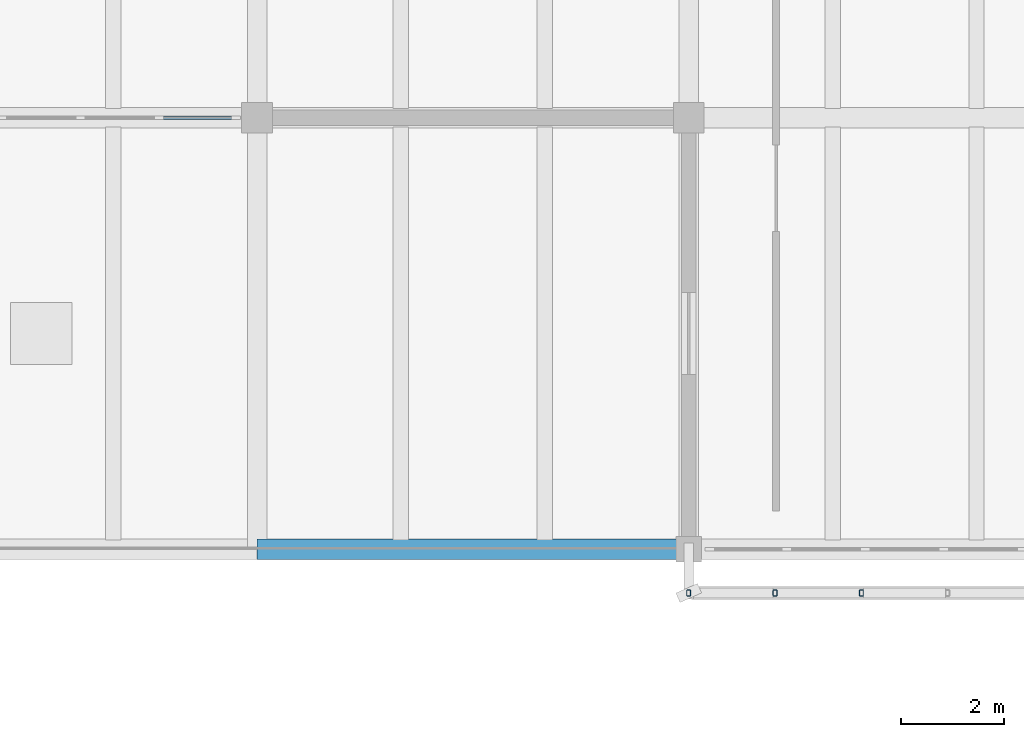
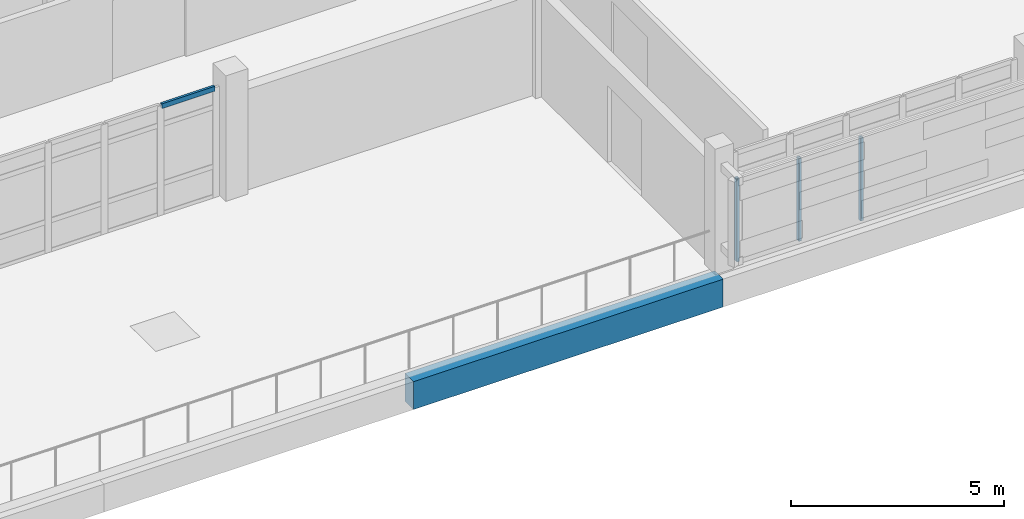
# One storey, part 9 of 50: 4 members, 1 beam, 1 element without a shape of its own.
"""IFC4 building model written with IfcOpenShell, lengths in metres."""

from ifc_helpers import new_model, si_unit, direction, frame, origin, origin_2d, place, context, subcontext, project, spatial, rectangle, hollow_rectangle, extrude, material, material_profile, profile_set, type_object, element, aggregate, save


model = new_model("IFC4")

# Units and contexts
model_context = context("Model", 3, precision=1e-05, world=origin(), true_north=direction((0.0, 1.0)))
body_context = subcontext(model_context, "Body", "Model", "MODEL_VIEW")
ifc_project = project(units=[si_unit("LENGTHUNIT", "METRE"), si_unit("AREAUNIT", "SQUARE_METRE"), si_unit("VOLUMEUNIT", "CUBIC_METRE"), si_unit("PLANEANGLEUNIT", "RADIAN"), si_unit("MASSUNIT", "GRAM", prefix="KILO")], contexts=[model_context])

# Site, building, storey
site_placement = place(None, origin())
site = spatial("IfcSite", under=ifc_project, at=site_placement, CompositionType="ELEMENT")
building_placement = place(site_placement, origin())
building = spatial("IfcBuilding", under=site, at=building_placement, Name="Cinderway Yard Community Centre", CompositionType="ELEMENT")
storey_placement = place(building_placement, frame((0.0, 0.0, 12.89990234375)))
storey = spatial("IfcBuildingStorey", under=building, at=storey_placement, Name="L03", CompositionType="ELEMENT", Elevation=12.89990234375)

# Curtain wall, member
ifc_material_1 = material(Name="Aluminium 6063-T6", Category="aluminium")
curtain_wall_type = type_object("IfcCurtainWallType", Name="ENV-CW-TYPE-32", PredefinedType="USERDEFINED", material=ifc_material_1)
curtain_wall_placement = place(storey_placement, origin())
curtain_wall = element("IfcCurtainWall", 1, at=curtain_wall_placement, inside=storey, type_object=curtain_wall_type, Name="V4 Courtyard Curtain Wall ENV-CW-L03-HS-0162", ObjectType="GLAZED CURTAIN WALL", PredefinedType="USERDEFINED")
ifc_material_profile_1 = material_profile(ifc_material_1, rectangle(XDim=0.06494140625, YDim=0.139892578125, at=origin_2d()), Name="Aluminium 6063-T6")
ifc_profile_set_1 = profile_set([ifc_material_profile_1], Name="Aluminium 6063-T6")
member_type_1 = type_object("IfcMemberType", Name="ENV-CW-TRAN-140", PredefinedType="USERDEFINED", material=ifc_profile_set_1)
member_placement = place(storey_placement, frame((56.52197265625, 98.39990234375, 3.1201171875), z_axis=(1.0, 0.0, 0.0), x_axis=(0.0, 1.0, 0.0)))
member = element("IfcMember", 2, at=member_placement, type_object=member_type_1, Name="CW-32 transom 5.4", ObjectType="TRANSOM", PredefinedType="USERDEFINED", context=body_context, shape_type="SweptSolid", body=[
    extrude(rectangle(XDim=0.06494140625, YDim=0.139892578125, at=origin_2d()), origin(), (0.0, 0.0, 1.0), 1.43798828125),
])
aggregate(curtain_wall, [member])

# Members
ifc_material_2 = material(Name="Steel S355", Category="steel")
ifc_material_profile_2 = material_profile(ifc_material_2, hollow_rectangle(XDim=0.080078125, YDim=0.1201171875, WallThickness=0.00634765625, InnerFilletRadius=0.00634765625, OuterFilletRadius=0.0126953125, at=origin_2d()), Name="Steel S355")
ifc_profile_set_2 = profile_set([ifc_material_profile_2], Name="Steel S355")
member_type_2 = type_object("IfcMemberType", Name="ENV-MEM-SCREEN-RAIL-120", PredefinedType="STRINGER", material=ifc_profile_set_2)
for number, where, z_axis, x_axis, name in (
    (3, (66.800048828125, 89.14990234375, 0.690185546875), (0.0, 0.0, 1.0), (1.0, 0.0, 0.0), "Screen vertical mullion 0505"),
    (4, (68.47998046875, 89.14990234375, 0.690185546875), (0.0, 0.0, 1.0), (1.0, 0.0, 0.0), "Screen vertical mullion 0506"),
    (5, (70.159912109375, 89.14990234375, 0.690185546875), (0.0, 0.0, 1.0), (1.0, 0.0, 0.0), "Screen vertical mullion 0507"),
):
    element("IfcMember", number, at=place(storey_placement, frame(where, z_axis=z_axis, x_axis=x_axis)), inside=storey, type_object=member_type_2, Name=name, PredefinedType="STRINGER", context=body_context, shape_type="SweptSolid", body=[
        extrude(hollow_rectangle(XDim=0.080078125, YDim=0.1201171875, WallThickness=0.00634765625, InnerFilletRadius=0.00634765625, OuterFilletRadius=0.0126953125, at=origin_2d()), origin(), (0.0, 0.0, 1.0), 2.369873046875),
    ])

# Beam
ifc_material_3 = material(Name="Concrete C40/50", Category="concrete")
ifc_material_profile_3 = material_profile(ifc_material_3, rectangle(XDim=0.39990234375, YDim=0.800048828125, at=origin_2d()), Name="Concrete C40/50")
ifc_profile_set_3 = profile_set([ifc_material_profile_3], Name="Concrete C40/50")
beam_type = type_object("IfcBeamType", Name="STR-BM-RC400X800", PredefinedType="BEAM", material=ifc_profile_set_3)
beam_placement = place(storey_placement, frame((58.39990234375, 90.0, -0.639892578125), z_axis=(1.0, 0.0, 0.0), x_axis=(0.0, 1.0, 0.0)))
element("IfcBeam", 6, at=beam_placement, inside=storey, type_object=beam_type, Name="Primary girder STR-BM-L03-BG05-0672", PredefinedType="BEAM", context=body_context, shape_type="SweptSolid", body=[
    extrude(rectangle(XDim=0.39990234375, YDim=0.800048828125, at=origin_2d()), origin(), (0.0, 0.0, 1.0), 8.400146484375),
])

save(model, "model.ifc")
